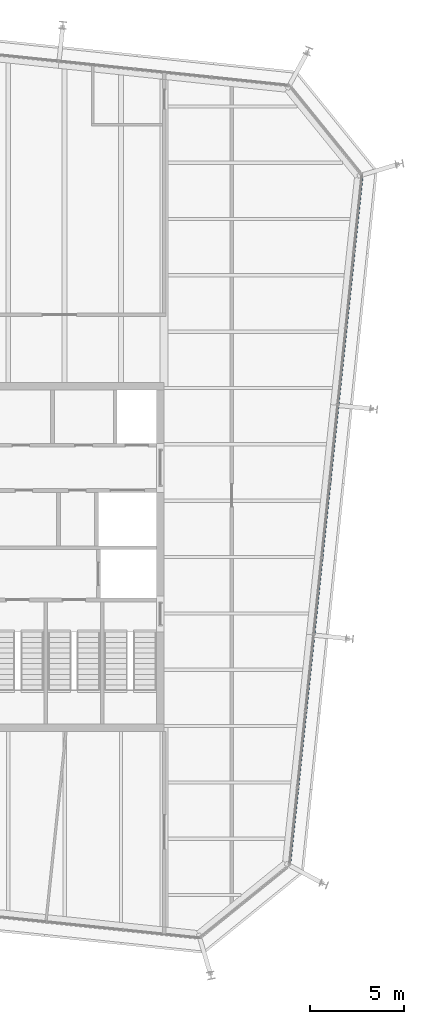
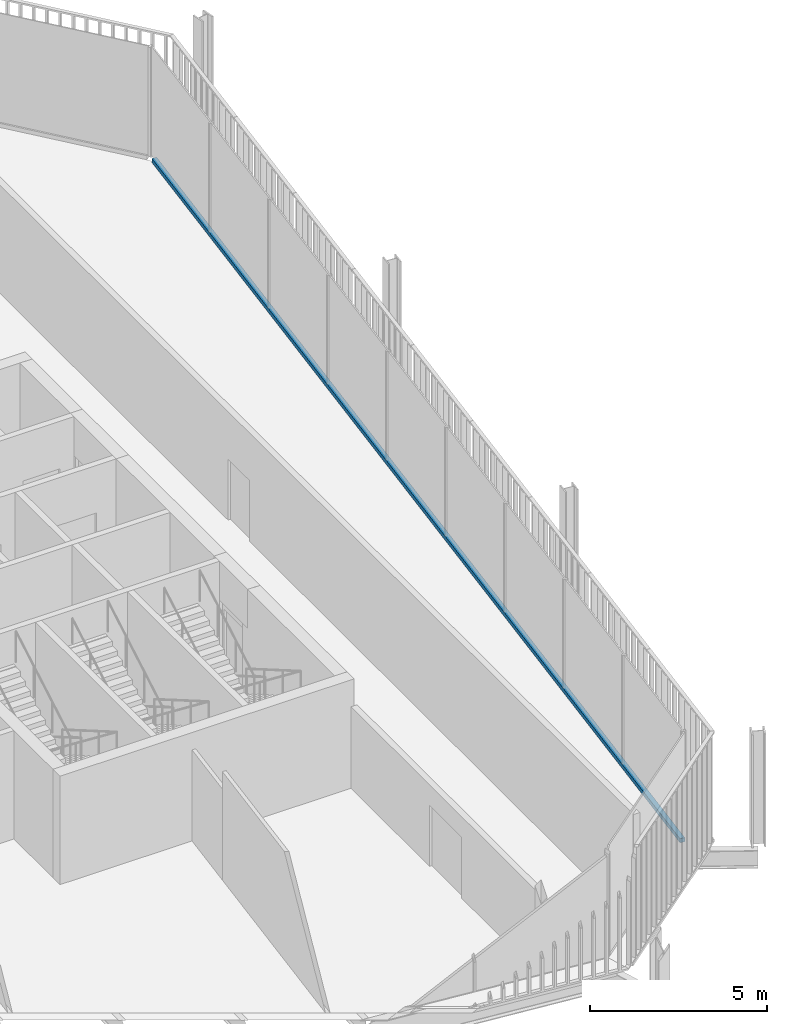
# One storey, part 10 of 20: 1 member, 1 element without a shape of its own.
"""IFC4 building model written with IfcOpenShell, lengths in metres."""

from ifc_helpers import new_model, si_unit, direction, frame, origin, origin_2d, place, context, subcontext, project, spatial, rectangle, extrude, material, layer, layer_set, material_profile, profile_set, type_object, element, aggregate, save


model = new_model("IFC4")

# Units and contexts
model_context = context("Model", 3, precision=1e-05, world=origin(), true_north=direction((0.0, 1.0)))
body_context = subcontext(model_context, "Body", "Model", "MODEL_VIEW")
ifc_project = project(units=[si_unit("LENGTHUNIT", "METRE"), si_unit("AREAUNIT", "SQUARE_METRE"), si_unit("VOLUMEUNIT", "CUBIC_METRE"), si_unit("PLANEANGLEUNIT", "RADIAN"), si_unit("MASSUNIT", "GRAM", prefix="KILO")], contexts=[model_context])

# Site, building, storey
site_placement = place(None, origin())
site = spatial("IfcSite", under=ifc_project, at=site_placement, CompositionType="ELEMENT")
building_placement = place(site_placement, origin())
building = spatial("IfcBuilding", under=site, at=building_placement, Name="Millrace Tower", CompositionType="ELEMENT")
storey_placement = place(building_placement, frame((0.0, 0.0, 287.699951171875)))
storey = spatial("IfcBuildingStorey", under=building, at=storey_placement, Name="L66", CompositionType="ELEMENT", Elevation=287.699951171875)

# Curtain wall, member
ifc_material_1 = material(Name="Aluminium and glass", Category="aluminium")
ifc_layer = layer(ifc_material_1, 0.14990234375)
ifc_layer_set = layer_set([ifc_layer], Name="Aluminium and glass")
curtain_wall_type = type_object("IfcCurtainWallType", Name="CW-1 office vision curtain wall", PredefinedType="NOTDEFINED", material=ifc_layer_set)
curtain_wall_placement = place(storey_placement, origin())
curtain_wall = element("IfcCurtainWall", 1, at=curtain_wall_placement, inside=storey, type_object=curtain_wall_type, Name="Curtain wall E-F04 L66", PredefinedType="NOTDEFINED")
ifc_material_2 = material(Name="Aluminium", Category="aluminium")
ifc_material_profile = material_profile(ifc_material_2, rectangle(XDim=0.14990234375, YDim=0.139892578125, at=origin_2d()))
ifc_profile_set = profile_set([ifc_material_profile], Name="Aluminium")
member_type = type_object("IfcMemberType", Name="CW-1 office vision curtain wall transom", PredefinedType="USERDEFINED", material=ifc_profile_set)
member_placement = place(storey_placement, frame((20.98193359375, -16.285400390625, 0.070068359375), z_axis=(0.104527916025, 0.994521952886, 0.0), x_axis=(-0.994521952886, 0.104527916025, 0.0)))
member = element("IfcMember", 2, at=member_placement, type_object=member_type, Name="CW1 transom E-F04.1", ObjectType="TRANSOM", PredefinedType="USERDEFINED", context=body_context, shape_type="SweptSolid", body=[
    extrude(rectangle(XDim=0.14990234375, YDim=0.139892578125, at=origin_2d()), origin(), (0.0, 0.0, 1.0), 36.699951171875),
])
aggregate(curtain_wall, [member])

save(model, "model.ifc")
